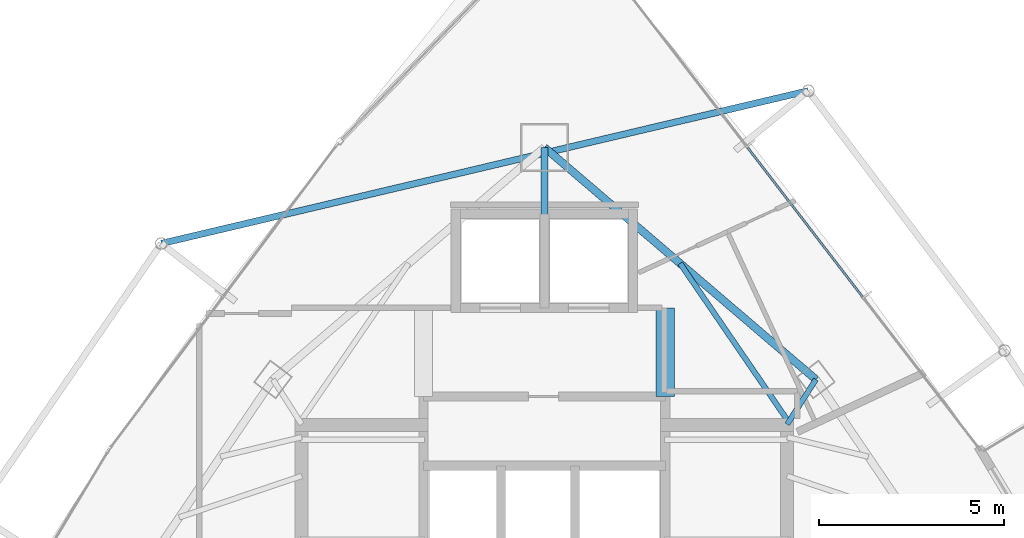
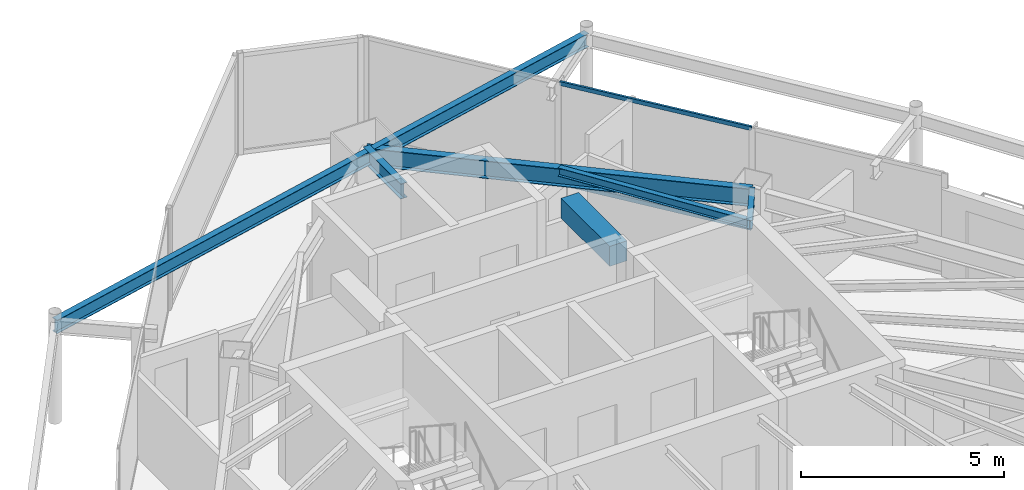
# One storey, part 25 of 34: 6 beams, 2 members, 1 element without a shape of its own.
"""IFC4 building model written with IfcOpenShell, lengths in metres."""

from ifc_helpers import new_model, si_unit, direction, frame, origin, origin_2d, place, context, subcontext, project, spatial, rectangle, hollow_rectangle, i_section, extrude, material, layer, layer_set, material_profile, profile_set, type_object, element, aggregate, save


model = new_model("IFC4")

# Units and contexts
model_context = context("Model", 3, precision=1e-05, world=origin(), true_north=direction((0.0, 1.0)))
body_context = subcontext(model_context, "Body", "Model", "MODEL_VIEW")
ifc_project = project(units=[si_unit("LENGTHUNIT", "METRE"), si_unit("AREAUNIT", "SQUARE_METRE"), si_unit("VOLUMEUNIT", "CUBIC_METRE"), si_unit("PLANEANGLEUNIT", "RADIAN"), si_unit("MASSUNIT", "GRAM", prefix="KILO")], contexts=[model_context])

# Site, building, storey
site_placement = place(None, origin())
site = spatial("IfcSite", under=ifc_project, at=site_placement, CompositionType="ELEMENT")
building_placement = place(site_placement, origin())
building = spatial("IfcBuilding", under=site, at=building_placement, Name="Orvanel Arch Residences", CompositionType="ELEMENT")
storey_placement = place(building_placement, frame((0.0, 0.0, 199.699951171875)))
storey = spatial("IfcBuildingStorey", under=building, at=storey_placement, Name="L56", CompositionType="ELEMENT", Elevation=199.699951171875)

# Beams
ifc_material_1 = material(Name="Structural steel AS/NZS 3679.1 Grade 300 (300 MPa)", Category="steel")
ifc_material_profile_1 = material_profile(ifc_material_1, i_section(OverallWidth=0.19091796875, OverallDepth=0.4599609375, WebThickness=0.010009765625, FlangeThickness=0.01611328125, at=origin_2d()), Name="460UB82.1")
ifc_profile_set_1 = profile_set([ifc_material_profile_1], Name="Structural steel AS/NZS 3679.1 Grade 300 (300 MPa)")
beam_type_1 = type_object("IfcBeamType", Name="BG-460UB", PredefinedType="BEAM", material=ifc_profile_set_1)
beam_1_placement = place(storey_placement, frame((33.0, 39.550048828125, 2.830078125), z_axis=(0.0, 1.0, 0.0), x_axis=(-1.0, 0.0, 0.0)))
element("IfcBeam", 1, at=beam_1_placement, inside=storey, type_object=beam_type_1, Name="L56 North Radial Girder", PredefinedType="BEAM", context=body_context, shape_type="SweptSolid", body=[
    extrude(i_section(OverallWidth=0.19091796875, OverallDepth=0.4599609375, WebThickness=0.010009765625, FlangeThickness=0.01611328125, at=origin_2d()), origin(), (0.0, 0.0, 1.0), 1.847900390625),
])
ifc_material_profile_2 = material_profile(ifc_material_1, i_section(OverallWidth=0.14599609375, OverallDepth=0.251953125, WebThickness=0.006103515625, FlangeThickness=0.008544921875, at=origin_2d()), Name="250UB31.4")
ifc_profile_set_2 = profile_set([ifc_material_profile_2], Name="Structural steel AS/NZS 3679.1 Grade 300 (300 MPa)")
beam_type_2 = type_object("IfcBeamType", Name="BJ-250UB", PredefinedType="JOIST", material=ifc_profile_set_2)
beam_2_placement = place(storey_placement, frame((39.574951171875, 33.89990234375, 2.93408203125), z_axis=(0.539395075146, 0.842052820735, 0.0), x_axis=(-0.842052820735, 0.539395075146, 0.0)))
element("IfcBeam", 2, at=beam_2_placement, inside=storey, type_object=beam_type_2, Name="L56 NNE Wing Floor Joist", PredefinedType="JOIST", context=body_context, shape_type="SweptSolid", body=[
    extrude(i_section(OverallWidth=0.14599609375, OverallDepth=0.251953125, WebThickness=0.006103515625, FlangeThickness=0.008544921875, at=origin_2d()), origin(), (0.0, 0.0, 1.0), 1.440673828125),
])
beam_3_placement = place(storey_placement, frame((39.574951171875, 34.02001953125, 2.93408203125), z_axis=(-0.564868085352, 0.825181220188, 0.0), x_axis=(-0.825181220188, -0.564868085352, 0.0)))
element("IfcBeam", 3, at=beam_3_placement, inside=storey, type_object=beam_type_2, Name="L56 NNE2 Wing Floor Joist", PredefinedType="JOIST", context=body_context, shape_type="SweptSolid", body=[
    extrude(i_section(OverallWidth=0.14599609375, OverallDepth=0.251953125, WebThickness=0.006103515625, FlangeThickness=0.008544921875, at=origin_2d()), origin(), (0.0, 0.0, 1.0), 5.132080078125),
])
ifc_material_2 = material(Name="Concrete S65 (65 MPa)", Category="concrete")
ifc_material_profile_3 = material_profile(ifc_material_2, rectangle(XDim=0.5, YDim=0.60009765625, at=origin_2d()), Name="RC500x600")
ifc_profile_set_3 = profile_set([ifc_material_profile_3], Name="Concrete S65 (65 MPa)")
beam_type_3 = type_object("IfcBeamType", Name="CB-500x600", PredefinedType="LINTEL", material=ifc_profile_set_3)
beam_4_placement = place(storey_placement, frame((36.27490234375, 34.64990234375, 2.760009765625), z_axis=(0.0, 1.0, 0.0), x_axis=(-1.0, 0.0, 0.0)))
element("IfcBeam", 4, at=beam_4_placement, inside=storey, type_object=beam_type_3, Name="L56 East Core Lobby Coupling Lintel Beam", PredefinedType="LINTEL", context=body_context, shape_type="SweptSolid", body=[
    extrude(rectangle(XDim=0.5, YDim=0.60009765625, at=origin_2d()), origin(), (0.0, 0.0, 1.0), 2.400146484375),
])
ifc_material_profile_4 = material_profile(ifc_material_1, i_section(OverallWidth=0.177978515625, OverallDepth=0.406005859375, WebThickness=0.0078125, FlangeThickness=0.0126953125, at=origin_2d()), Name="410UB59.7")
ifc_profile_set_4 = profile_set([ifc_material_profile_4], Name="Structural steel AS/NZS 3679.1 Grade 300 (300 MPa)")
beam_type_4 = type_object("IfcBeamType", Name="OB-410UB-EXT", PredefinedType="SPANDREL", material=ifc_profile_set_4)
beam_5_placement = place(storey_placement, frame((40.14697265625, 42.930908203125, 2.85693359375), z_axis=(-0.973256699632, -0.229720257314, 0.0), x_axis=(0.229720257314, -0.973256699632, 0.0)))
element("IfcBeam", 5, at=beam_5_placement, inside=storey, type_object=beam_type_4, Name="L56 Outer Perimeter Floor Ring Beam 12", PredefinedType="SPANDREL", context=body_context, shape_type="SweptSolid", body=[
    extrude(i_section(OverallWidth=0.177978515625, OverallDepth=0.406005859375, WebThickness=0.0078125, FlangeThickness=0.0126953125, at=origin_2d()), origin(), (0.0, 0.0, 1.0), 18.00439453125),
])
ifc_material_profile_5 = material_profile(ifc_material_1, i_section(OverallWidth=0.208984375, OverallDepth=0.532958984375, WebThickness=0.01025390625, FlangeThickness=0.015625, at=origin_2d()), Name="530UB92.4")
ifc_profile_set_5 = profile_set([ifc_material_profile_5], Name="Structural steel AS/NZS 3679.1 Grade 300 (300 MPa)")
beam_type_5 = type_object("IfcBeamType", Name="SP-530UB", PredefinedType="SPANDREL", material=ifc_profile_set_5)
beam_6_placement = place(storey_placement, frame((40.35205078125, 35.113037109375, 2.79296875), z_axis=(-0.760116518398, 0.649786794617, 0.0), x_axis=(-0.649786794617, -0.760116518398, 0.0)))
element("IfcBeam", 6, at=beam_6_placement, inside=storey, type_object=beam_type_5, Name="L56 Perimeter Spandrel Beam 09", PredefinedType="SPANDREL", context=body_context, shape_type="SweptSolid", body=[
    extrude(i_section(OverallWidth=0.208984375, OverallDepth=0.532958984375, WebThickness=0.01025390625, FlangeThickness=0.015625, at=origin_2d()), origin(), (0.0, 0.0, 1.0), 9.67236328125),
])

# Curtain wall, members
ifc_material_3 = material(Name="Bronze-anodised aluminium AA6063-T6", Category="aluminium")
ifc_layer = layer(ifc_material_3, 0.175048828125)
ifc_layer_set = layer_set([ifc_layer], Name="Bronze-anodised aluminium AA6063-T6")
curtain_wall_type = type_object("IfcCurtainWallType", Name="CW4-HI-SYS", PredefinedType="NOTDEFINED", material=ifc_layer_set)
curtain_wall_placement = place(storey_placement, origin())
curtain_wall = element("IfcCurtainWall", 7, at=curtain_wall_placement, inside=storey, type_object=curtain_wall_type, Name="L56 CW4-HI-SYS Unitised Curtain Wall", PredefinedType="NOTDEFINED")
ifc_material_profile_6 = material_profile(ifc_material_3, hollow_rectangle(XDim=0.06005859375, YDim=0.1201171875, WallThickness=0.00341796875, at=origin_2d()), Name="ALU120x60x3.5")
ifc_profile_set_6 = profile_set([ifc_material_profile_6], Name="Bronze-anodised aluminium AA6063-T6")
member_type = type_object("IfcMemberType", Name="TRN-120x60", PredefinedType="USERDEFINED", material=ifc_profile_set_6)
member_1_placement = place(storey_placement, frame((41.6162109375, 37.350341796875, 0.030029296875), z_axis=(-0.610152149317, 0.792284263811, 0.0), x_axis=(-0.792284263811, -0.610152149317, 0.0)))
member_1 = element("IfcMember", 8, at=member_1_placement, type_object=member_type, Name="CW-S4 transom 2.1", ObjectType="TRANSOM", PredefinedType="USERDEFINED", context=body_context, shape_type="SweptSolid", body=[
    extrude(hollow_rectangle(XDim=0.06005859375, YDim=0.1201171875, WallThickness=0.00341796875, at=origin_2d()), origin(), (0.0, 0.0, 1.0), 5.1044921875),
])
member_2_placement = place(storey_placement, frame((41.6162109375, 37.350341796875, 3.030029296875), z_axis=(-0.610152149317, 0.792284263811, 0.0), x_axis=(-0.792284263811, -0.610152149317, 0.0)))
member_2 = element("IfcMember", 9, at=member_2_placement, type_object=member_type, Name="CW-S4 transom 2.2", ObjectType="TRANSOM", PredefinedType="USERDEFINED", context=body_context, shape_type="SweptSolid", body=[
    extrude(hollow_rectangle(XDim=0.06005859375, YDim=0.1201171875, WallThickness=0.00341796875, at=origin_2d()), origin(), (0.0, 0.0, 1.0), 5.1044921875),
])
aggregate(curtain_wall, [member_1, member_2])

save(model, "model.ifc")
